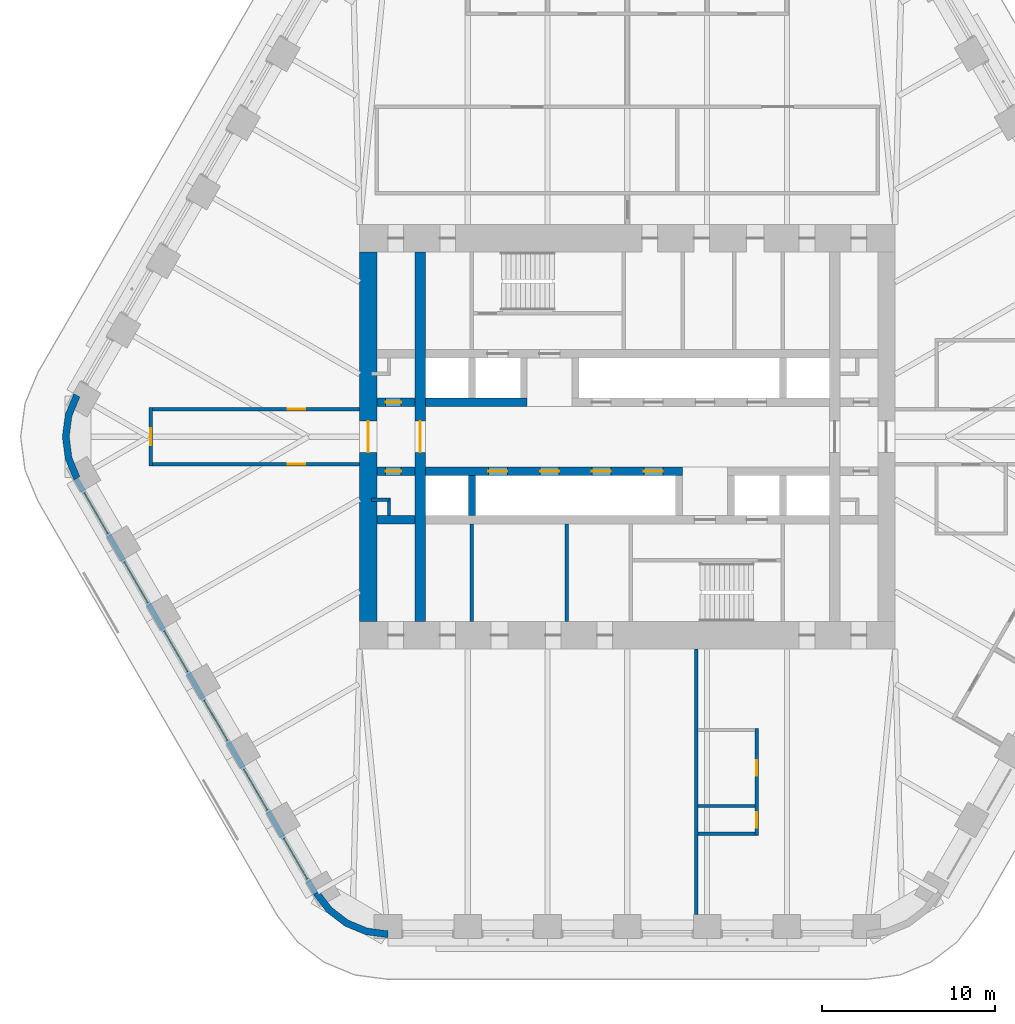
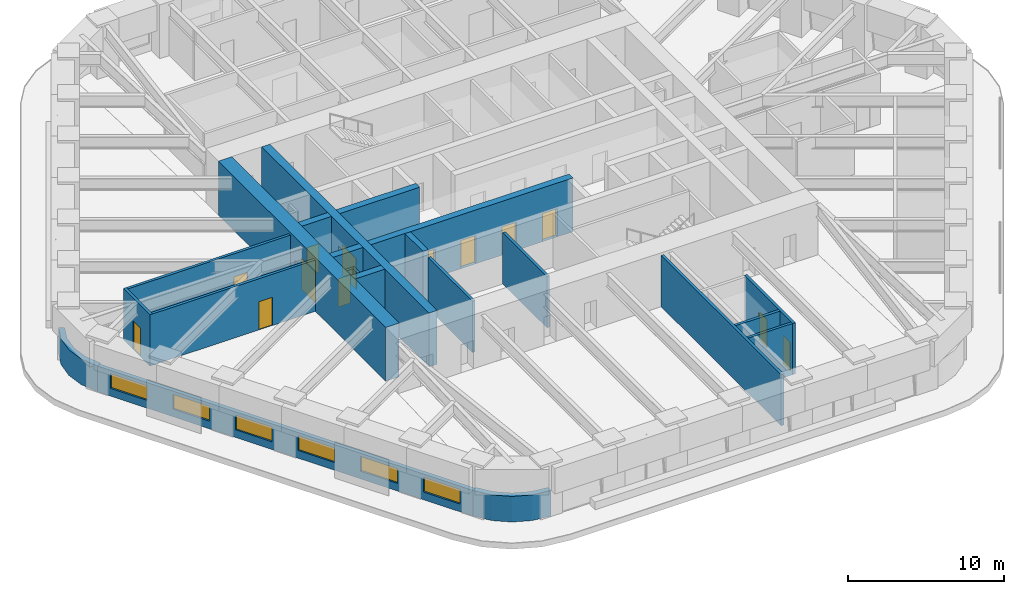
# One storey, part 14 of 20: 22 walls, 13 doors, 6 windows, 19 openings.
"""IFC4 building model written with IfcOpenShell, lengths in metres."""

from ifc_helpers import new_model, si_unit, direction, frame, frame_2d, origin, place, context, subcontext, project, spatial, polyline, rectangle, outline, extrude, material, layer, layer_set, type_object, element, fill, save


model = new_model("IFC4")

# Units and contexts
model_context = context("Model", 3, precision=1e-05, world=origin(), true_north=direction((0.0, 1.0)))
body_context = subcontext(model_context, "Body", "Model", "MODEL_VIEW")
ifc_project = project(units=[si_unit("LENGTHUNIT", "METRE"), si_unit("AREAUNIT", "SQUARE_METRE"), si_unit("VOLUMEUNIT", "CUBIC_METRE"), si_unit("PLANEANGLEUNIT", "RADIAN"), si_unit("MASSUNIT", "GRAM", prefix="KILO")], contexts=[model_context])

# Site, building, storey
site_placement = place(None, origin())
site = spatial("IfcSite", under=ifc_project, at=site_placement, CompositionType="ELEMENT")
building_placement = place(site_placement, origin())
building = spatial("IfcBuilding", under=site, at=building_placement, Name="Tarfa Lantern Tower", CompositionType="ELEMENT")
storey_placement = place(building_placement, frame((0.0, 0.0, 223.89990234375)))
storey = spatial("IfcBuildingStorey", under=building, at=storey_placement, Name="L50", CompositionType="ELEMENT", Elevation=223.89990234375)

# Wall, openings, windows
ifc_material_1 = material(Name="Limestone cladding on blockwork", Category="masonry")
ifc_layer_1 = layer(ifc_material_1, 0.300048828125)
ifc_layer_set_1 = layer_set([ifc_layer_1], Name="EW1 STONE-CLAD WALL 300")
wall_type_1 = type_object("IfcWallType", Name="EW1 STONE-CLAD WALL 300", PredefinedType="SOLIDWALL", material=ifc_layer_set_1)
wall_1_placement = place(storey_placement, frame((-31.9130859375, -2.425048828125, 0.0), z_axis=(0.0, 0.0, 1.0), x_axis=(0.500001051461, -0.866024796723, 0.0)))
wall_1 = element("IfcWall", 1, at=wall_1_placement, inside=storey, type_object=wall_type_1, Name="Stone wall SW", PredefinedType="SOLIDWALL", context=body_context, shape_type="SweptSolid", body=[
    extrude(rectangle(XDim=27.712890625, YDim=0.300048828125, at=frame_2d((13.8564453125, 0.0))), origin(), (0.0, 0.0, 1.0), 2.0),
])
opening_1_placement = place(wall_1_placement, frame((0.95947265625, 0.0, 0.60009765625)))
opening_1 = element("IfcOpeningElement", 2, at=opening_1_placement, cuts=wall_1, Name="Opening W13", PredefinedType="OPENING", context=body_context, shape_type="SweptSolid", body=[
    extrude(rectangle(XDim=2.699951171875, YDim=1.14990234375, at=frame_2d((1.35009765625, 0.574951171875))), frame((0.0, 0.159912109375, 0.0), z_axis=(0.0, -1.0, 0.0), x_axis=(1.0, 0.0, 0.0)), (0.0, 0.0, 1.0), 0.320068359375),
])
opening_2_placement = place(wall_1_placement, frame((5.578125, 0.0, 0.60009765625)))
opening_2 = element("IfcOpeningElement", 3, at=opening_2_placement, cuts=wall_1, Name="Opening W13", PredefinedType="OPENING", context=body_context, shape_type="SweptSolid", body=[
    extrude(rectangle(XDim=2.699951171875, YDim=1.14990234375, at=frame_2d((1.35009765625, 0.574951171875))), frame((0.0, 0.159912109375, 0.0), z_axis=(0.0, -1.0, 0.0), x_axis=(1.0, 0.0, 0.0)), (0.0, 0.0, 1.0), 0.320068359375),
])
opening_3_placement = place(wall_1_placement, frame((10.197021484375, 0.0, 0.60009765625)))
opening_3 = element("IfcOpeningElement", 4, at=opening_3_placement, cuts=wall_1, Name="Opening W13", PredefinedType="OPENING", context=body_context, shape_type="SweptSolid", body=[
    extrude(rectangle(XDim=2.699951171875, YDim=1.14990234375, at=frame_2d((1.35009765625, 0.574951171875))), frame((0.0, 0.159912109375, 0.0), z_axis=(0.0, -1.0, 0.0), x_axis=(1.0, 0.0, 0.0)), (0.0, 0.0, 1.0), 0.320068359375),
])
opening_4_placement = place(wall_1_placement, frame((14.81591796875, 0.0, 0.60009765625)))
opening_4 = element("IfcOpeningElement", 5, at=opening_4_placement, cuts=wall_1, Name="Opening W13", PredefinedType="OPENING", context=body_context, shape_type="SweptSolid", body=[
    extrude(rectangle(XDim=2.699951171875, YDim=1.14990234375, at=frame_2d((1.35009765625, 0.574951171875))), frame((0.0, 0.159912109375, 0.0), z_axis=(0.0, -1.0, 0.0), x_axis=(1.0, 0.0, 0.0)), (0.0, 0.0, 1.0), 0.320068359375),
])
opening_5_placement = place(wall_1_placement, frame((19.4345703125, 0.0, 0.60009765625)))
opening_5 = element("IfcOpeningElement", 6, at=opening_5_placement, cuts=wall_1, Name="Opening W13", PredefinedType="OPENING", context=body_context, shape_type="SweptSolid", body=[
    extrude(rectangle(XDim=2.699951171875, YDim=1.14990234375, at=frame_2d((1.35009765625, 0.574951171875))), frame((0.0, 0.159912109375, 0.0), z_axis=(0.0, -1.0, 0.0), x_axis=(1.0, 0.0, 0.0)), (0.0, 0.0, 1.0), 0.320068359375),
])
opening_6_placement = place(wall_1_placement, frame((24.053466796875, 0.0, 0.60009765625)))
opening_6 = element("IfcOpeningElement", 7, at=opening_6_placement, cuts=wall_1, Name="Opening W13", PredefinedType="OPENING", context=body_context, shape_type="SweptSolid", body=[
    extrude(rectangle(XDim=2.699951171875, YDim=1.14990234375, at=frame_2d((1.35009765625, 0.574951171875))), frame((0.0, 0.159912109375, 0.0), z_axis=(0.0, -1.0, 0.0), x_axis=(1.0, 0.0, 0.0)), (0.0, 0.0, 1.0), 0.320068359375),
])
ifc_material_2 = material(Name="Aluminium frame, double glazed", Category="aluminium")
window_type = type_object("IfcWindowType", Name="W13 FULL-HEIGHT GLAZING 2700x1150", PartitioningType="SINGLE_PANEL", PredefinedType="WINDOW", material=ifc_material_2)
window_1_placement = place(opening_1_placement, origin())
window_1 = element("IfcWindow", 8, at=window_1_placement, inside=storey, type_object=window_type, Name="Window SW 1", OverallHeight=1.14990234375, OverallWidth=2.699951171875, PartitioningType="SINGLE_PANEL", PredefinedType="WINDOW", context=body_context, shape_type="SweptSolid", body=[
    extrude(rectangle(XDim=2.699951171875, YDim=1.14990234375, at=frame_2d((1.35009765625, 0.574951171875))), frame((0.0, 0.030029296875, 0.0), z_axis=(0.0, -1.0, 0.0), x_axis=(1.0, 0.0, 0.0)), (0.0, 0.0, 1.0), 0.06005859375),
])
fill(opening_1, window_1)
window_2_placement = place(opening_2_placement, origin())
window_2 = element("IfcWindow", 9, at=window_2_placement, inside=storey, type_object=window_type, Name="Window SW 2", OverallHeight=1.14990234375, OverallWidth=2.699951171875, PartitioningType="SINGLE_PANEL", PredefinedType="WINDOW", context=body_context, shape_type="SweptSolid", body=[
    extrude(rectangle(XDim=2.699951171875, YDim=1.14990234375, at=frame_2d((1.35009765625, 0.574951171875))), frame((0.0, 0.030029296875, 0.0), z_axis=(0.0, -1.0, 0.0), x_axis=(1.0, 0.0, 0.0)), (0.0, 0.0, 1.0), 0.06005859375),
])
fill(opening_2, window_2)
window_3_placement = place(opening_3_placement, origin())
window_3 = element("IfcWindow", 10, at=window_3_placement, inside=storey, type_object=window_type, Name="Window SW 3", OverallHeight=1.14990234375, OverallWidth=2.699951171875, PartitioningType="SINGLE_PANEL", PredefinedType="WINDOW", context=body_context, shape_type="SweptSolid", body=[
    extrude(rectangle(XDim=2.699951171875, YDim=1.14990234375, at=frame_2d((1.35009765625, 0.574951171875))), frame((0.0, 0.030029296875, 0.0), z_axis=(0.0, -1.0, 0.0), x_axis=(1.0, 0.0, 0.0)), (0.0, 0.0, 1.0), 0.06005859375),
])
fill(opening_3, window_3)
window_4_placement = place(opening_4_placement, origin())
window_4 = element("IfcWindow", 11, at=window_4_placement, inside=storey, type_object=window_type, Name="Window SW 4", OverallHeight=1.14990234375, OverallWidth=2.699951171875, PartitioningType="SINGLE_PANEL", PredefinedType="WINDOW", context=body_context, shape_type="SweptSolid", body=[
    extrude(rectangle(XDim=2.699951171875, YDim=1.14990234375, at=frame_2d((1.35009765625, 0.574951171875))), frame((0.0, 0.030029296875, 0.0), z_axis=(0.0, -1.0, 0.0), x_axis=(1.0, 0.0, 0.0)), (0.0, 0.0, 1.0), 0.06005859375),
])
fill(opening_4, window_4)
window_5_placement = place(opening_5_placement, origin())
window_5 = element("IfcWindow", 12, at=window_5_placement, inside=storey, type_object=window_type, Name="Window SW 5", OverallHeight=1.14990234375, OverallWidth=2.699951171875, PartitioningType="SINGLE_PANEL", PredefinedType="WINDOW", context=body_context, shape_type="SweptSolid", body=[
    extrude(rectangle(XDim=2.699951171875, YDim=1.14990234375, at=frame_2d((1.35009765625, 0.574951171875))), frame((0.0, 0.030029296875, 0.0), z_axis=(0.0, -1.0, 0.0), x_axis=(1.0, 0.0, 0.0)), (0.0, 0.0, 1.0), 0.06005859375),
])
fill(opening_5, window_5)
window_6_placement = place(opening_6_placement, origin())
window_6 = element("IfcWindow", 13, at=window_6_placement, inside=storey, type_object=window_type, Name="Window SW 6", OverallHeight=1.14990234375, OverallWidth=2.699951171875, PartitioningType="SINGLE_PANEL", PredefinedType="WINDOW", context=body_context, shape_type="SweptSolid", body=[
    extrude(rectangle(XDim=2.699951171875, YDim=1.14990234375, at=frame_2d((1.35009765625, 0.574951171875))), frame((0.0, 0.030029296875, 0.0), z_axis=(0.0, -1.0, 0.0), x_axis=(1.0, 0.0, 0.0)), (0.0, 0.0, 1.0), 0.06005859375),
])
fill(opening_6, window_6)

# Walls
ifc_layer_2 = layer(ifc_material_1, 0.39990234375)
ifc_layer_set_2 = layer_set([ifc_layer_2], Name="EW2 CURVED STONE CORNER 400")
wall_type_2 = type_object("IfcWallType", Name="EW2 CURVED STONE CORNER 400", PredefinedType="SOLIDWALL", material=ifc_layer_set_2)
wall_2_placement = place(storey_placement, origin())
element("IfcWall", 14, at=wall_2_placement, inside=storey, type_object=wall_type_2, Name="Stone corner NW-SW", PredefinedType="SOLIDWALL", context=body_context, shape_type="SweptSolid", body=[
    extrude(outline(polyline([(-32.04296875, 2.5), (-32.54248046875, 1.294189453125), (-32.712890625, 0.0), (-32.54248046875, -1.294189453125), (-32.04296875, -2.5), (-31.696533203125, -2.300048828125), (-32.156005859375, -1.190673828125), (-32.312744140625, 0.0), (-32.156005859375, 1.190673828125), (-31.696533203125, 2.300048828125), (-32.04296875, 2.5)])), origin(), (0.0, 0.0, 1.0), 2.0),
])
wall_3_placement = place(storey_placement, origin())
element("IfcWall", 15, at=wall_3_placement, inside=storey, type_object=wall_type_2, Name="Stone corner SW-S", PredefinedType="SOLIDWALL", context=body_context, shape_type="SweptSolid", body=[
    extrude(outline(polyline([(-18.1865234375, -26.5), (-17.391845703125, -27.53564453125), (-16.3564453125, -28.330078125), (-15.150390625, -28.82958984375), (-13.8564453125, -29.0), (-13.8564453125, -28.60009765625), (-15.046875, -28.443359375), (-16.156494140625, -27.983642578125), (-17.109130859375, -27.252685546875), (-17.840087890625, -26.300048828125), (-18.1865234375, -26.5)])), origin(), (0.0, 0.0, 1.0), 2.0),
])
ifc_material_3 = material(Name="Concrete blockwork", Category="masonry")
ifc_layer_3 = layer(ifc_material_3, 0.199951171875)
ifc_layer_set_3 = layer_set([ifc_layer_3], Name="IW1 BLOCKWORK PARTITION 200 EI 120")
wall_type_3 = type_object("IfcWallType", Name="IW1 BLOCKWORK PARTITION 200 EI 120", PredefinedType="PARTITIONING", material=ifc_layer_set_3)
for number, where, z_axis, x_axis, name in (
    (16, (-9.0, -5.050048828125, 0.0), (0.0, 0.0, 1.0), (0.0, -1.0, 0.0), "Core partition"),
    (17, (-3.5, -5.050048828125, 0.0), (0.0, 0.0, 1.0), (0.0, -1.0, 0.0), "Core partition"),
):
    element("IfcWall", number, at=place(storey_placement, frame(where, z_axis=z_axis, x_axis=x_axis)), inside=storey, type_object=wall_type_3, Name=name, PredefinedType="PARTITIONING", context=body_context, shape_type="SweptSolid", body=[
        extrude(rectangle(XDim=5.64990234375, YDim=0.199951171875, at=frame_2d((2.824951171875, 0.0))), origin(), (0.0, 0.0, 1.0), 4.0),
    ])
for number, where, z_axis, x_axis, name in (
    (18, (-13.800048828125, -3.64990234375, 0.0), (0.0, 0.0, 1.0), (-1.0, 0.0, 0.0), "Core partition"),
    (19, (-13.800048828125, -3.550048828125, 0.0), (0.0, 0.0, 1.0), (0.0, -1.0, 0.0), "Core partition"),
):
    element("IfcWall", number, at=place(storey_placement, frame(where, z_axis=z_axis, x_axis=x_axis)), inside=storey, type_object=wall_type_3, Name=name, PredefinedType="PARTITIONING", context=body_context, shape_type="SweptSolid", body=[
        extrude(rectangle(XDim=1.0, YDim=0.199951171875, at=frame_2d((0.5, 0.0))), origin(), (0.0, 0.0, 1.0), 4.0),
    ])

# Wall, opening, door
ifc_material_4 = material(Name="Gypsum board on steel studs", Category="steel")
ifc_layer_4 = layer(ifc_material_4, 0.2099609375)
ifc_layer_set_4 = layer_set([ifc_layer_4], Name="IW2 ACOUSTIC PARTITION 200")
wall_type_4 = type_object("IfcWallType", Name="IW2 ACOUSTIC PARTITION 200", PredefinedType="PARTITIONING", material=ifc_layer_set_4)
wall_4_placement = place(storey_placement, frame((-15.5, 1.60009765625, 0.0), z_axis=(0.0, 0.0, 1.0), x_axis=(-1.0, 0.0, 0.0)))
wall_4 = element("IfcWall", 20, at=wall_4_placement, inside=storey, type_object=wall_type_4, Name="Partition", PredefinedType="PARTITIONING", context=body_context, shape_type="SweptSolid", body=[
    extrude(rectangle(XDim=12.199951171875, YDim=0.199951171875, at=frame_2d((6.10009765625, 0.0))), origin(), (0.0, 0.0, 1.0), 4.0),
])
opening_7_placement = place(wall_4_placement, frame((3.159912109375, 0.0, 0.0)))
opening_7 = element("IfcOpeningElement", 21, at=opening_7_placement, cuts=wall_4, Name="Opening D44", PredefinedType="OPENING", context=body_context, shape_type="SweptSolid", body=[
    extrude(rectangle(XDim=1.0, YDim=2.199951171875, at=frame_2d((0.5, 1.10009765625))), frame((0.0, 0.10986328125, 0.0), z_axis=(0.0, -1.0, 0.0), x_axis=(1.0, 0.0, 0.0)), (0.0, 0.0, 1.0), 0.219970703125),
])
ifc_material_5 = material(Name="Timber door", Category="wood")
door_type_1 = type_object("IfcDoorType", Name="DR1 ROOM DOOR 1000x2200", OperationType="SINGLE_SWING_LEFT", PredefinedType="DOOR", material=ifc_material_5)
door_1_placement = place(opening_7_placement, frame((1.0, 0.0, 0.0), z_axis=(0.0, 0.0, 1.0), x_axis=(-1.0, 0.0, 0.0)))
door_1 = element("IfcDoor", 22, at=door_1_placement, inside=storey, type_object=door_type_1, Name="Corridor door", OperationType="SINGLE_SWING_LEFT", OverallHeight=2.199951171875, OverallWidth=1.0, PredefinedType="DOOR", context=body_context, shape_type="SweptSolid", body=[
    extrude(rectangle(XDim=1.0, YDim=2.199951171875, at=frame_2d((0.5, 1.10009765625))), frame((0.0, 0.02490234375, 0.0), z_axis=(0.0, -1.0, 0.0), x_axis=(1.0, 0.0, 0.0)), (0.0, 0.0, 1.0), 0.050048828125),
])
fill(opening_7, door_1)

wall_5_placement = place(storey_placement, frame((-15.5, -1.60009765625, 0.0), z_axis=(0.0, 0.0, 1.0), x_axis=(-1.0, 0.0, 0.0)))
wall_5 = element("IfcWall", 23, at=wall_5_placement, inside=storey, type_object=wall_type_4, Name="Partition", PredefinedType="PARTITIONING", context=body_context, shape_type="SweptSolid", body=[
    extrude(rectangle(XDim=12.199951171875, YDim=0.199951171875, at=frame_2d((6.10009765625, 0.0))), origin(), (0.0, 0.0, 1.0), 4.0),
])
opening_8_placement = place(wall_5_placement, frame((3.159912109375, 0.0, 0.0)))
opening_8 = element("IfcOpeningElement", 24, at=opening_8_placement, cuts=wall_5, Name="Opening D45", PredefinedType="OPENING", context=body_context, shape_type="SweptSolid", body=[
    extrude(rectangle(XDim=1.0, YDim=2.199951171875, at=frame_2d((0.5, 1.10009765625))), frame((0.0, 0.10986328125, 0.0), z_axis=(0.0, -1.0, 0.0), x_axis=(1.0, 0.0, 0.0)), (0.0, 0.0, 1.0), 0.219970703125),
])
door_2_placement = place(opening_8_placement, origin())
door_2 = element("IfcDoor", 25, at=door_2_placement, inside=storey, type_object=door_type_1, Name="Corridor door", OperationType="SINGLE_SWING_RIGHT", OverallHeight=2.199951171875, OverallWidth=1.0, PredefinedType="DOOR", context=body_context, shape_type="SweptSolid", body=[
    extrude(rectangle(XDim=1.0, YDim=2.199951171875, at=frame_2d((0.5, 1.10009765625))), frame((0.0, 0.02490234375, 0.0), z_axis=(0.0, -1.0, 0.0), x_axis=(1.0, 0.0, 0.0)), (0.0, 0.0, 1.0), 0.050048828125),
])
fill(opening_8, door_2)

wall_6_placement = place(storey_placement, frame((-27.60009765625, -1.699951171875, 0.0), z_axis=(0.0, 0.0, 1.0), x_axis=(0.0, 1.0, 0.0)))
wall_6 = element("IfcWall", 26, at=wall_6_placement, inside=storey, type_object=wall_type_4, Name="Partition", PredefinedType="PARTITIONING", context=body_context, shape_type="SweptSolid", body=[
    extrude(rectangle(XDim=3.39990234375, YDim=0.199951171875, at=frame_2d((1.699951171875, 0.0))), origin(), (0.0, 0.0, 1.0), 4.0),
])
opening_9_placement = place(wall_6_placement, frame((1.199951171875, 0.0, 0.0)))
opening_9 = element("IfcOpeningElement", 27, at=opening_9_placement, cuts=wall_6, Name="Opening D43", PredefinedType="OPENING", context=body_context, shape_type="SweptSolid", body=[
    extrude(rectangle(XDim=1.0, YDim=2.199951171875, at=frame_2d((0.5, 1.10009765625))), frame((0.0, 0.10986328125, 0.0), z_axis=(0.0, -1.0, 0.0), x_axis=(1.0, 0.0, 0.0)), (0.0, 0.0, 1.0), 0.219970703125),
])
door_3_placement = place(opening_9_placement, origin())
door_3 = element("IfcDoor", 28, at=door_3_placement, inside=storey, type_object=door_type_1, Name="Corridor door", OperationType="SINGLE_SWING_RIGHT", OverallHeight=2.199951171875, OverallWidth=1.0, PredefinedType="DOOR", context=body_context, shape_type="SweptSolid", body=[
    extrude(rectangle(XDim=1.0, YDim=2.199951171875, at=frame_2d((0.5, 1.10009765625))), frame((0.0, 0.02490234375, 0.0), z_axis=(0.0, -1.0, 0.0), x_axis=(1.0, 0.0, 0.0)), (0.0, 0.0, 1.0), 0.050048828125),
])
fill(opening_9, door_3)

# Wall
wall_7_placement = place(storey_placement, frame((4.0, -12.300048828125, 0.0), z_axis=(0.0, 0.0, 1.0), x_axis=(0.0, -1.0, 0.0)))
element("IfcWall", 29, at=wall_7_placement, inside=storey, type_object=wall_type_4, Name="Partition", PredefinedType="PARTITIONING", context=body_context, shape_type="SweptSolid", body=[
    extrude(rectangle(XDim=15.349853515625, YDim=0.199951171875, at=frame_2d((7.6748046875, 0.0))), origin(), (0.0, 0.0, 1.0), 4.0),
])

# Wall, openings, doors
wall_8_placement = place(storey_placement, frame((7.5, -16.875, 0.0), z_axis=(0.0, 0.0, 1.0), x_axis=(0.0, -1.0, 0.0)))
wall_8 = element("IfcWall", 30, at=wall_8_placement, inside=storey, type_object=wall_type_4, Name="Partition", PredefinedType="PARTITIONING", context=body_context, shape_type="SweptSolid", body=[
    extrude(rectangle(XDim=6.199951171875, YDim=0.199951171875, at=frame_2d((3.10009765625, 0.0))), origin(), (0.0, 0.0, 1.0), 4.0),
])
opening_10_placement = place(wall_8_placement, frame((1.85009765625, 0.0, 0.0)))
opening_10 = element("IfcOpeningElement", 31, at=opening_10_placement, cuts=wall_8, Name="Opening D38", PredefinedType="OPENING", context=body_context, shape_type="SweptSolid", body=[
    extrude(rectangle(XDim=0.89990234375, YDim=2.199951171875, at=frame_2d((0.449951171875, 1.10009765625))), frame((0.0, 0.10986328125, 0.0), z_axis=(0.0, -1.0, 0.0), x_axis=(1.0, 0.0, 0.0)), (0.0, 0.0, 1.0), 0.219970703125),
])
opening_11_placement = place(wall_8_placement, frame((4.85009765625, 0.0, 0.0)))
opening_11 = element("IfcOpeningElement", 32, at=opening_11_placement, cuts=wall_8, Name="Opening D39", PredefinedType="OPENING", context=body_context, shape_type="SweptSolid", body=[
    extrude(rectangle(XDim=0.89990234375, YDim=2.199951171875, at=frame_2d((0.449951171875, 1.10009765625))), frame((0.0, 0.10986328125, 0.0), z_axis=(0.0, -1.0, 0.0), x_axis=(1.0, 0.0, 0.0)), (0.0, 0.0, 1.0), 0.219970703125),
])
door_type_2 = type_object("IfcDoorType", Name="DR3 ROOM DOOR 900x2200", OperationType="SINGLE_SWING_LEFT", PredefinedType="DOOR", material=ifc_material_5)
door_4_placement = place(opening_10_placement, frame((0.89990234375, 0.0, 0.0), z_axis=(0.0, 0.0, 1.0), x_axis=(-1.0, 0.0, 0.0)))
door_4 = element("IfcDoor", 33, at=door_4_placement, inside=storey, type_object=door_type_2, Name="Meeting room door", OperationType="SINGLE_SWING_LEFT", OverallHeight=2.199951171875, OverallWidth=0.89990234375, PredefinedType="DOOR", context=body_context, shape_type="SweptSolid", body=[
    extrude(rectangle(XDim=0.89990234375, YDim=2.199951171875, at=frame_2d((0.449951171875, 1.10009765625))), frame((0.0, 0.02490234375, 0.0), z_axis=(0.0, -1.0, 0.0), x_axis=(1.0, 0.0, 0.0)), (0.0, 0.0, 1.0), 0.050048828125),
])
fill(opening_10, door_4)
door_5_placement = place(opening_11_placement, frame((0.89990234375, 0.0, 0.0), z_axis=(0.0, 0.0, 1.0), x_axis=(-1.0, 0.0, 0.0)))
door_5 = element("IfcDoor", 34, at=door_5_placement, inside=storey, type_object=door_type_2, Name="Phone booth door", OperationType="SINGLE_SWING_RIGHT", OverallHeight=2.199951171875, OverallWidth=0.89990234375, PredefinedType="DOOR", context=body_context, shape_type="SweptSolid", body=[
    extrude(rectangle(XDim=0.89990234375, YDim=2.199951171875, at=frame_2d((0.449951171875, 1.10009765625))), frame((0.0, 0.02490234375, 0.0), z_axis=(0.0, -1.0, 0.0), x_axis=(1.0, 0.0, 0.0)), (0.0, 0.0, 1.0), 0.050048828125),
])
fill(opening_11, door_5)

# Walls
for number, where, z_axis, x_axis, name in (
    (35, (4.10009765625, -21.375, 0.0), (0.0, 0.0, 1.0), (1.0, 0.0, 0.0), "Partition"),
    (36, (4.10009765625, -22.97509765625, 0.0), (0.0, 0.0, 1.0), (1.0, 0.0, 0.0), "Partition"),
):
    element("IfcWall", number, at=place(storey_placement, frame(where, z_axis=z_axis, x_axis=x_axis)), inside=storey, type_object=wall_type_4, Name=name, PredefinedType="PARTITIONING", context=body_context, shape_type="SweptSolid", body=[
        extrude(rectangle(XDim=3.2998046875, YDim=0.199951171875, at=frame_2d((1.64990234375, 0.0))), origin(), (0.0, 0.0, 1.0), 4.0),
    ])

# Wall, opening, door
ifc_material_6 = material(Name="Concrete C80/95", Category="concrete")
ifc_layer_5 = layer(ifc_material_6, 1.0)
ifc_layer_set_5 = layer_set([ifc_layer_5], Name="SW2 CORE WALL 1000")
wall_type_5 = type_object("IfcWallType", Name="SW2 CORE WALL 1000", PredefinedType="SHEAR", material=ifc_layer_set_5)
wall_9_placement = place(storey_placement, frame((-15.0, 10.699951171875, 0.0), z_axis=(0.0, 0.0, 1.0), x_axis=(0.0, -1.0, 0.0)))
wall_9 = element("IfcWall", 37, at=wall_9_placement, inside=storey, type_object=wall_type_5, Name="Core wall W", PredefinedType="SHEAR", context=body_context, shape_type="SweptSolid", body=[
    extrude(rectangle(XDim=21.39990234375, YDim=1.0, at=frame_2d((10.699951171875, 0.0))), origin(), (0.0, 0.0, 1.0), 4.2001953125),
])
opening_12_placement = place(wall_9_placement, frame((9.800048828125, 0.0, 0.0)))
opening_12 = element("IfcOpeningElement", 38, at=opening_12_placement, cuts=wall_9, Name="Opening D12", PredefinedType="OPENING", context=body_context, shape_type="SweptSolid", body=[
    extrude(rectangle(XDim=1.800048828125, YDim=2.39990234375, at=frame_2d((0.89990234375, 1.199951171875))), frame((0.0, 0.510009765625, 0.0), z_axis=(0.0, -1.0, 0.0), x_axis=(1.0, 0.0, 0.0)), (0.0, 0.0, 1.0), 1.02001953125),
])
ifc_material_7 = material(Name="Steel fire door", Category="steel")
door_type_3 = type_object("IfcDoorType", Name="DL1 LOBBY DOOR 1800x2400", OperationType="DOUBLE_DOOR_SINGLE_SWING", PredefinedType="DOOR", material=ifc_material_7)
door_6_placement = place(opening_12_placement, frame((1.800048828125, 0.0, 0.0), z_axis=(0.0, 0.0, 1.0), x_axis=(-1.0, 0.0, 0.0)))
door_6 = element("IfcDoor", 39, at=door_6_placement, inside=storey, type_object=door_type_3, Name="Lift lobby door", OperationType="DOUBLE_DOOR_SINGLE_SWING", OverallHeight=2.39990234375, OverallWidth=1.800048828125, PredefinedType="DOOR", context=body_context, shape_type="SweptSolid", body=[
    extrude(rectangle(XDim=1.800048828125, YDim=2.39990234375, at=frame_2d((0.89990234375, 1.199951171875))), frame((0.0, 0.02490234375, 0.0), z_axis=(0.0, -1.0, 0.0), x_axis=(1.0, 0.0, 0.0)), (0.0, 0.0, 1.0), 0.050048828125),
])
fill(opening_12, door_6)

ifc_layer_6 = layer(ifc_material_6, 0.5)
ifc_layer_set_6 = layer_set([ifc_layer_6], Name="SW5 CORE WALL 500")
wall_type_6 = type_object("IfcWallType", Name="SW5 CORE WALL 500", PredefinedType="SHEAR", material=ifc_layer_set_6)
wall_10_placement = place(storey_placement, frame((-14.5, 2.0, 0.0), z_axis=(0.0, 0.0, 1.0), x_axis=(1.0, 0.0, 0.0)))
wall_10 = element("IfcWall", 40, at=wall_10_placement, inside=storey, type_object=wall_type_6, Name="Core wall lobby west N", PredefinedType="SHEAR", context=body_context, shape_type="SweptSolid", body=[
    extrude(rectangle(XDim=2.199951171875, YDim=0.5, at=frame_2d((1.10009765625, 0.0))), origin(), (0.0, 0.0, 1.0), 4.2001953125),
])
opening_13_placement = place(wall_10_placement, frame((0.5, 0.0, 0.0)))
opening_13 = element("IfcOpeningElement", 41, at=opening_13_placement, cuts=wall_10, Name="Opening D15", PredefinedType="OPENING", context=body_context, shape_type="SweptSolid", body=[
    extrude(rectangle(XDim=0.89990234375, YDim=2.199951171875, at=frame_2d((0.449951171875, 1.10009765625))), frame((0.0, 0.260009765625, 0.0), z_axis=(0.0, -1.0, 0.0), x_axis=(1.0, 0.0, 0.0)), (0.0, 0.0, 1.0), 0.52001953125),
])
door_type_4 = type_object("IfcDoorType", Name="DF6 SERVICE ROOM DOOR 900x2200", OperationType="SINGLE_SWING_LEFT", PredefinedType="DOOR", material=ifc_material_7)
door_7_placement = place(opening_13_placement, origin())
door_7 = element("IfcDoor", 42, at=door_7_placement, inside=storey, type_object=door_type_4, Name="Service room door", OperationType="SINGLE_SWING_RIGHT", OverallHeight=2.199951171875, OverallWidth=0.89990234375, PredefinedType="DOOR", context=body_context, shape_type="SweptSolid", body=[
    extrude(rectangle(XDim=0.89990234375, YDim=2.199951171875, at=frame_2d((0.449951171875, 1.10009765625))), frame((0.0, 0.02490234375, 0.0), z_axis=(0.0, -1.0, 0.0), x_axis=(1.0, 0.0, 0.0)), (0.0, 0.0, 1.0), 0.050048828125),
])
fill(opening_13, door_7)

# Wall
wall_11_placement = place(storey_placement, frame((-11.699951171875, 2.0, 0.0), z_axis=(0.0, 0.0, 1.0), x_axis=(1.0, 0.0, 0.0)))
element("IfcWall", 43, at=wall_11_placement, inside=storey, type_object=wall_type_6, Name="Core wall lobby west N", PredefinedType="SHEAR", context=body_context, shape_type="SweptSolid", body=[
    extrude(rectangle(XDim=5.89990234375, YDim=0.5, at=frame_2d((2.949951171875, 0.0))), origin(), (0.0, 0.0, 1.0), 4.2001953125),
])

# Wall, openings, doors
wall_12_placement = place(storey_placement, frame((3.199951171875, -2.0, 0.0), z_axis=(0.0, 0.0, 1.0), x_axis=(-1.0, 0.0, 0.0)))
wall_12 = element("IfcWall", 44, at=wall_12_placement, inside=storey, type_object=wall_type_6, Name="Core wall lobby east S", PredefinedType="SHEAR", context=body_context, shape_type="SweptSolid", body=[
    extrude(rectangle(XDim=14.89990234375, YDim=0.5, at=frame_2d((7.449951171875, 0.0))), origin(), (0.0, 0.0, 1.0), 4.2001953125),
])
opening_14_placement = place(wall_12_placement, frame((1.14990234375, 0.0, 0.0)))
opening_14 = element("IfcOpeningElement", 45, at=opening_14_placement, cuts=wall_12, Name="Opening LD07", PredefinedType="OPENING", context=body_context, shape_type="SweptSolid", body=[
    extrude(rectangle(XDim=1.10009765625, YDim=2.199951171875, at=frame_2d((0.550048828125, 1.10009765625))), frame((0.0, 0.260009765625, 0.0), z_axis=(0.0, -1.0, 0.0), x_axis=(1.0, 0.0, 0.0)), (0.0, 0.0, 1.0), 0.52001953125),
])
opening_15_placement = place(wall_12_placement, frame((4.14990234375, 0.0, 0.0)))
opening_15 = element("IfcOpeningElement", 46, at=opening_15_placement, cuts=wall_12, Name="Opening LD08", PredefinedType="OPENING", context=body_context, shape_type="SweptSolid", body=[
    extrude(rectangle(XDim=1.10009765625, YDim=2.199951171875, at=frame_2d((0.550048828125, 1.10009765625))), frame((0.0, 0.260009765625, 0.0), z_axis=(0.0, -1.0, 0.0), x_axis=(1.0, 0.0, 0.0)), (0.0, 0.0, 1.0), 0.52001953125),
])
opening_16_placement = place(wall_12_placement, frame((7.14990234375, 0.0, 0.0)))
opening_16 = element("IfcOpeningElement", 47, at=opening_16_placement, cuts=wall_12, Name="Opening LD09", PredefinedType="OPENING", context=body_context, shape_type="SweptSolid", body=[
    extrude(rectangle(XDim=1.10009765625, YDim=2.199951171875, at=frame_2d((0.550048828125, 1.10009765625))), frame((0.0, 0.260009765625, 0.0), z_axis=(0.0, -1.0, 0.0), x_axis=(1.0, 0.0, 0.0)), (0.0, 0.0, 1.0), 0.52001953125),
])
opening_17_placement = place(wall_12_placement, frame((10.14990234375, 0.0, 0.0)))
opening_17 = element("IfcOpeningElement", 48, at=opening_17_placement, cuts=wall_12, Name="Opening LD10", PredefinedType="OPENING", context=body_context, shape_type="SweptSolid", body=[
    extrude(rectangle(XDim=1.10009765625, YDim=2.199951171875, at=frame_2d((0.550048828125, 1.10009765625))), frame((0.0, 0.260009765625, 0.0), z_axis=(0.0, -1.0, 0.0), x_axis=(1.0, 0.0, 0.0)), (0.0, 0.0, 1.0), 0.52001953125),
])
ifc_material_8 = material(Name="Stainless steel lift door", Category="steel")
door_type_5 = type_object("IfcDoorType", Name="LD2 LIFT LANDING DOOR 1100x2200", OperationType="SLIDING_TO_LEFT", PredefinedType="DOOR", material=ifc_material_8)
door_8_placement = place(opening_14_placement, frame((1.10009765625, 0.0, 0.0), z_axis=(0.0, 0.0, 1.0), x_axis=(-1.0, 0.0, 0.0)))
door_8 = element("IfcDoor", 49, at=door_8_placement, inside=storey, type_object=door_type_5, Name="Landing door PC5", OperationType="SLIDING_TO_LEFT", OverallHeight=2.199951171875, OverallWidth=1.10009765625, PredefinedType="DOOR", context=body_context, shape_type="SweptSolid", body=[
    extrude(rectangle(XDim=1.10009765625, YDim=2.199951171875, at=frame_2d((0.550048828125, 1.10009765625))), frame((0.0, 0.02490234375, 0.0), z_axis=(0.0, -1.0, 0.0), x_axis=(1.0, 0.0, 0.0)), (0.0, 0.0, 1.0), 0.050048828125),
])
fill(opening_14, door_8)
door_9_placement = place(opening_15_placement, frame((1.10009765625, 0.0, 0.0), z_axis=(0.0, 0.0, 1.0), x_axis=(-1.0, 0.0, 0.0)))
door_9 = element("IfcDoor", 50, at=door_9_placement, inside=storey, type_object=door_type_5, Name="Landing door PC6", OperationType="SLIDING_TO_LEFT", OverallHeight=2.199951171875, OverallWidth=1.10009765625, PredefinedType="DOOR", context=body_context, shape_type="SweptSolid", body=[
    extrude(rectangle(XDim=1.10009765625, YDim=2.199951171875, at=frame_2d((0.550048828125, 1.10009765625))), frame((0.0, 0.02490234375, 0.0), z_axis=(0.0, -1.0, 0.0), x_axis=(1.0, 0.0, 0.0)), (0.0, 0.0, 1.0), 0.050048828125),
])
fill(opening_15, door_9)
door_10_placement = place(opening_16_placement, frame((1.10009765625, 0.0, 0.0), z_axis=(0.0, 0.0, 1.0), x_axis=(-1.0, 0.0, 0.0)))
door_10 = element("IfcDoor", 51, at=door_10_placement, inside=storey, type_object=door_type_5, Name="Landing door PC7", OperationType="SLIDING_TO_LEFT", OverallHeight=2.199951171875, OverallWidth=1.10009765625, PredefinedType="DOOR", context=body_context, shape_type="SweptSolid", body=[
    extrude(rectangle(XDim=1.10009765625, YDim=2.199951171875, at=frame_2d((0.550048828125, 1.10009765625))), frame((0.0, 0.02490234375, 0.0), z_axis=(0.0, -1.0, 0.0), x_axis=(1.0, 0.0, 0.0)), (0.0, 0.0, 1.0), 0.050048828125),
])
fill(opening_16, door_10)
door_11_placement = place(opening_17_placement, frame((1.10009765625, 0.0, 0.0), z_axis=(0.0, 0.0, 1.0), x_axis=(-1.0, 0.0, 0.0)))
door_11 = element("IfcDoor", 52, at=door_11_placement, inside=storey, type_object=door_type_5, Name="Landing door PC8", OperationType="SLIDING_TO_LEFT", OverallHeight=2.199951171875, OverallWidth=1.10009765625, PredefinedType="DOOR", context=body_context, shape_type="SweptSolid", body=[
    extrude(rectangle(XDim=1.10009765625, YDim=2.199951171875, at=frame_2d((0.550048828125, 1.10009765625))), frame((0.0, 0.02490234375, 0.0), z_axis=(0.0, -1.0, 0.0), x_axis=(1.0, 0.0, 0.0)), (0.0, 0.0, 1.0), 0.050048828125),
])
fill(opening_17, door_11)

# Wall, opening, door
wall_13_placement = place(storey_placement, frame((-12.300048828125, -2.0, 0.0), z_axis=(0.0, 0.0, 1.0), x_axis=(-1.0, 0.0, 0.0)))
wall_13 = element("IfcWall", 53, at=wall_13_placement, inside=storey, type_object=wall_type_6, Name="Core wall lobby east S", PredefinedType="SHEAR", context=body_context, shape_type="SweptSolid", body=[
    extrude(rectangle(XDim=2.199951171875, YDim=0.5, at=frame_2d((1.10009765625, 0.0))), origin(), (0.0, 0.0, 1.0), 4.2001953125),
])
opening_18_placement = place(wall_13_placement, frame((0.800048828125, 0.0, 0.0)))
opening_18 = element("IfcOpeningElement", 54, at=opening_18_placement, cuts=wall_13, Name="Opening D14", PredefinedType="OPENING", context=body_context, shape_type="SweptSolid", body=[
    extrude(rectangle(XDim=0.89990234375, YDim=2.199951171875, at=frame_2d((0.449951171875, 1.10009765625))), frame((0.0, 0.260009765625, 0.0), z_axis=(0.0, -1.0, 0.0), x_axis=(1.0, 0.0, 0.0)), (0.0, 0.0, 1.0), 0.52001953125),
])
door_12_placement = place(opening_18_placement, origin())
door_12 = element("IfcDoor", 55, at=door_12_placement, inside=storey, type_object=door_type_4, Name="Service room door", OperationType="SINGLE_SWING_LEFT", OverallHeight=2.199951171875, OverallWidth=0.89990234375, PredefinedType="DOOR", context=body_context, shape_type="SweptSolid", body=[
    extrude(rectangle(XDim=0.89990234375, YDim=2.199951171875, at=frame_2d((0.449951171875, 1.10009765625))), frame((0.0, 0.02490234375, 0.0), z_axis=(0.0, -1.0, 0.0), x_axis=(1.0, 0.0, 0.0)), (0.0, 0.0, 1.0), 0.050048828125),
])
fill(opening_18, door_12)

# Walls
wall_14_placement = place(storey_placement, frame((-12.300048828125, -4.800048828125, 0.0), z_axis=(0.0, 0.0, 1.0), x_axis=(-1.0, 0.0, 0.0)))
element("IfcWall", 56, at=wall_14_placement, inside=storey, type_object=wall_type_6, Name="Core wall rear S", PredefinedType="SHEAR", context=body_context, shape_type="SweptSolid", body=[
    extrude(rectangle(XDim=2.199951171875, YDim=0.5, at=frame_2d((1.10009765625, 0.0))), origin(), (0.0, 0.0, 1.0), 4.2001953125),
])
ifc_layer_7 = layer(ifc_material_6, 0.39990234375)
ifc_layer_set_7 = layer_set([ifc_layer_7], Name="SW6 CORE WALL 400")
wall_type_7 = type_object("IfcWallType", Name="SW6 CORE WALL 400", PredefinedType="SHEAR", material=ifc_layer_set_7)
wall_15_placement = place(storey_placement, frame((-9.0, -2.25, 0.0), z_axis=(0.0, 0.0, 1.0), x_axis=(0.0, -1.0, 0.0)))
element("IfcWall", 57, at=wall_15_placement, inside=storey, type_object=wall_type_7, Name="Core wall divider S", PredefinedType="SHEAR", context=body_context, shape_type="SweptSolid", body=[
    extrude(rectangle(XDim=2.300048828125, YDim=0.39990234375, at=frame_2d((1.14990234375, 0.0))), origin(), (0.0, 0.0, 1.0), 4.2001953125),
])

# Wall, opening, door
ifc_layer_8 = layer(ifc_material_6, 0.60009765625)
ifc_layer_set_8 = layer_set([ifc_layer_8], Name="SW9 CORE WALL 600")
wall_type_8 = type_object("IfcWallType", Name="SW9 CORE WALL 600", PredefinedType="SHEAR", material=ifc_layer_set_8)
wall_16_placement = place(storey_placement, frame((-12.0, -10.699951171875, 0.0), z_axis=(0.0, 0.0, 1.0), x_axis=(0.0, 1.0, 0.0)))
wall_16 = element("IfcWall", 58, at=wall_16_placement, inside=storey, type_object=wall_type_8, Name="Core wall cross 12 m west", PredefinedType="SHEAR", context=body_context, shape_type="SweptSolid", body=[
    extrude(rectangle(XDim=21.39990234375, YDim=0.60009765625, at=frame_2d((10.699951171875, 0.0))), origin(), (0.0, 0.0, 1.0), 4.2001953125),
])
opening_19_placement = place(wall_16_placement, frame((9.800048828125, 0.0, 0.0)))
opening_19 = element("IfcOpeningElement", 59, at=opening_19_placement, cuts=wall_16, Name="Opening D26", PredefinedType="OPENING", context=body_context, shape_type="SweptSolid", body=[
    extrude(rectangle(XDim=1.800048828125, YDim=2.39990234375, at=frame_2d((0.89990234375, 1.199951171875))), frame((0.0, 0.31005859375, 0.0), z_axis=(0.0, -1.0, 0.0), x_axis=(1.0, 0.0, 0.0)), (0.0, 0.0, 1.0), 0.6201171875),
])
door_13_placement = place(opening_19_placement, origin())
door_13 = element("IfcDoor", 60, at=door_13_placement, inside=storey, type_object=door_type_3, Name="Lift lobby door", OperationType="DOUBLE_DOOR_SINGLE_SWING", OverallHeight=2.39990234375, OverallWidth=1.800048828125, PredefinedType="DOOR", context=body_context, shape_type="SweptSolid", body=[
    extrude(rectangle(XDim=1.800048828125, YDim=2.39990234375, at=frame_2d((0.89990234375, 1.199951171875))), frame((0.0, 0.02490234375, 0.0), z_axis=(0.0, -1.0, 0.0), x_axis=(1.0, 0.0, 0.0)), (0.0, 0.0, 1.0), 0.050048828125),
])
fill(opening_19, door_13)

save(model, "model.ifc")
